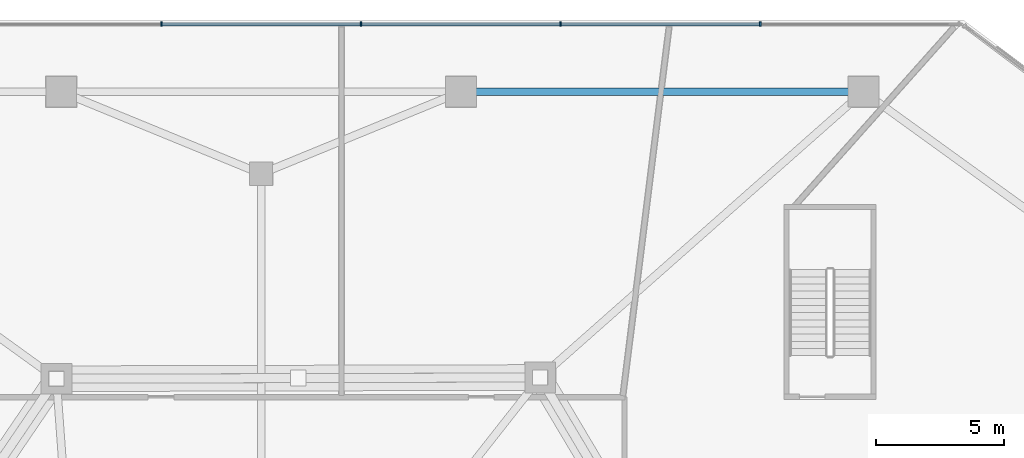
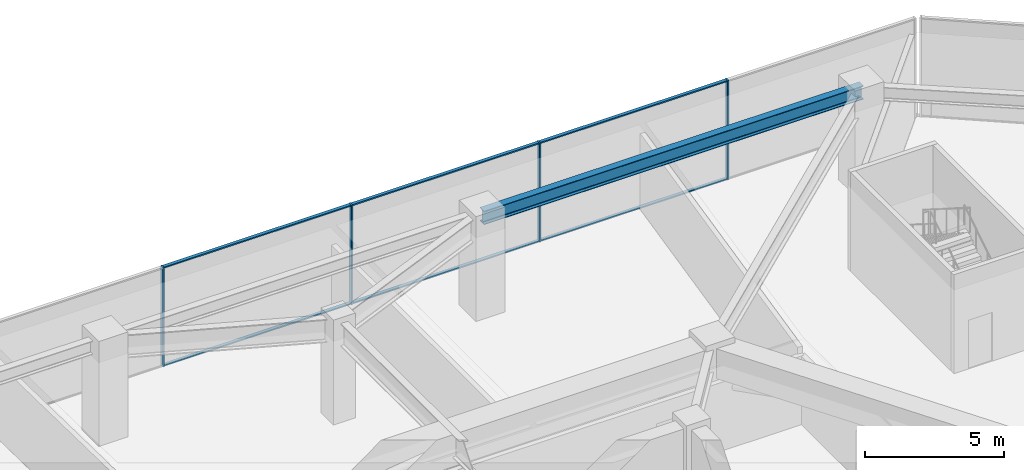
# One storey, part 10 of 23: 10 members, 1 beam, 1 element without a shape of its own.
"""IFC4 building model written with IfcOpenShell, lengths in metres."""

from ifc_helpers import new_model, si_unit, direction, frame, origin, origin_2d, place, context, subcontext, project, spatial, rectangle, i_section, extrude, material, material_profile, profile_set, type_object, element, aggregate, save


model = new_model("IFC4")

# Units and contexts
model_context = context("Model", 3, precision=1e-05, world=origin(), true_north=direction((0.0, 1.0)))
body_context = subcontext(model_context, "Body", "Model", "MODEL_VIEW")
ifc_project = project(units=[si_unit("LENGTHUNIT", "METRE"), si_unit("AREAUNIT", "SQUARE_METRE"), si_unit("VOLUMEUNIT", "CUBIC_METRE"), si_unit("PLANEANGLEUNIT", "RADIAN"), si_unit("MASSUNIT", "GRAM", prefix="KILO")], contexts=[model_context])

# Site, building, storey
site_placement = place(None, origin())
site = spatial("IfcSite", under=ifc_project, at=site_placement, CompositionType="ELEMENT")
building_placement = place(site_placement, origin())
building = spatial("IfcBuilding", under=site, at=building_placement, Name="Savorim Split Tower", CompositionType="ELEMENT")
storey_placement = place(building_placement, frame((0.0, 0.0, 21.800048828125)))
storey = spatial("IfcBuildingStorey", under=building, at=storey_placement, Name="L05", CompositionType="ELEMENT", Elevation=21.800048828125)

# Beam
ifc_material_1 = material(Name="Steel S355", Category="steel")
ifc_material_profile_1 = material_profile(ifc_material_1, i_section(OverallWidth=0.300048828125, OverallDepth=0.590087890625, WebThickness=0.012939453125, FlangeThickness=0.02490234375, FilletRadius=0.027099609375, at=origin_2d()), Name="HEA 600")
ifc_profile_set_1 = profile_set([ifc_material_profile_1], Name="Steel S355")
beam_type = type_object("IfcBeamType", Name="BM-SPN-HEA600", PredefinedType="SPANDREL", material=ifc_profile_set_1)
beam_placement = place(storey_placement, frame((23.5, 25.39990234375, 4.054931640625), z_axis=(-1.0, 0.0, 0.0), x_axis=(0.0, -1.0, 0.0)))
element("IfcBeam", 1, at=beam_placement, inside=storey, type_object=beam_type, Name="L05 Podium Spandrel Beam 6", PredefinedType="SPANDREL", context=body_context, shape_type="SweptSolid", body=[
    extrude(i_section(OverallWidth=0.300048828125, OverallDepth=0.590087890625, WebThickness=0.012939453125, FlangeThickness=0.02490234375, FilletRadius=0.027099609375, at=origin_2d()), origin(), (0.0, 0.0, 1.0), 15.699951171875),
])

# Curtain wall, members
ifc_material_2 = material(Name="Dark Ceramic-Fritted Insulated Glass", Category="glass")
curtain_wall_type = type_object("IfcCurtainWallType", Name="CW-REFUGE-LVR", PredefinedType="NOTDEFINED", material=ifc_material_2)
curtain_wall_placement = place(storey_placement, origin())
curtain_wall = element("IfcCurtainWall", 2, at=curtain_wall_placement, inside=storey, type_object=curtain_wall_type, Name="L05 Curtain Wall CW-L05-E08", PredefinedType="NOTDEFINED")
ifc_material_3 = material(Name="Charcoal Anodised Aluminium", Category="aluminium")
ifc_material_profile_2 = material_profile(ifc_material_3, rectangle(XDim=0.179931640625, YDim=0.06494140625, at=origin_2d()), Name="ALU-M 180x65")
ifc_profile_set_2 = profile_set([ifc_material_profile_2], Name="Charcoal Anodised Aluminium")
member_type_1 = type_object("IfcMemberType", Name="CWM-180x65", PredefinedType="MULLION", material=ifc_profile_set_2)
member_1_placement = place(storey_placement, frame((19.471435546875, 28.0400390625, 0.0), z_axis=(0.0, 0.0, 1.0), x_axis=(0.0, -1.0, 0.0)))
member_1 = element("IfcMember", 3, at=member_1_placement, type_object=member_type_1, Name="CW-06 mullion 2", PredefinedType="MULLION", context=body_context, shape_type="SweptSolid", body=[
    extrude(rectangle(XDim=0.179931640625, YDim=0.06494140625, at=origin_2d()), origin(), (0.0, 0.0, 1.0), 4.349853515625),
])
member_2_placement = place(storey_placement, frame((11.682861328125, 28.0400390625, 0.0), z_axis=(0.0, 0.0, 1.0), x_axis=(0.0, -1.0, 0.0)))
member_2 = element("IfcMember", 4, at=member_2_placement, type_object=member_type_1, Name="CW-06 mullion 3", PredefinedType="MULLION", context=body_context, shape_type="SweptSolid", body=[
    extrude(rectangle(XDim=0.179931640625, YDim=0.06494140625, at=origin_2d()), origin(), (0.0, 0.0, 1.0), 4.349853515625),
])
member_3_placement = place(storey_placement, frame((3.894287109375, 28.0400390625, 0.0), z_axis=(0.0, 0.0, 1.0), x_axis=(0.0, -1.0, 0.0)))
member_3 = element("IfcMember", 5, at=member_3_placement, type_object=member_type_1, Name="CW-06 mullion 4", PredefinedType="MULLION", context=body_context, shape_type="SweptSolid", body=[
    extrude(rectangle(XDim=0.179931640625, YDim=0.06494140625, at=origin_2d()), origin(), (0.0, 0.0, 1.0), 4.349853515625),
])
member_4_placement = place(storey_placement, frame((-3.894287109375, 28.0400390625, 0.0), z_axis=(0.0, 0.0, 1.0), x_axis=(0.0, -1.0, 0.0)))
member_4 = element("IfcMember", 6, at=member_4_placement, type_object=member_type_1, Name="CW-06 mullion 5", PredefinedType="MULLION", context=body_context, shape_type="SweptSolid", body=[
    extrude(rectangle(XDim=0.179931640625, YDim=0.06494140625, at=origin_2d()), origin(), (0.0, 0.0, 1.0), 4.349853515625),
])
ifc_material_profile_3 = material_profile(ifc_material_3, rectangle(XDim=0.139892578125, YDim=0.054931640625, at=origin_2d()), Name="ALU-T 140x55")
ifc_profile_set_3 = profile_set([ifc_material_profile_3], Name="Charcoal Anodised Aluminium")
member_type_2 = type_object("IfcMemberType", Name="CWT-140x55", PredefinedType="USERDEFINED", material=ifc_profile_set_3)
member_5_placement = place(storey_placement, frame((19.43896484375, 28.0400390625, 0.02734375), z_axis=(-1.0, 0.0, 0.0), x_axis=(0.0, -1.0, 0.0)))
member_5 = element("IfcMember", 7, at=member_5_placement, type_object=member_type_2, Name="CW-06 transom 2.1", ObjectType="TRANSOM", PredefinedType="USERDEFINED", context=body_context, shape_type="SweptSolid", body=[
    extrude(rectangle(XDim=0.139892578125, YDim=0.054931640625, at=origin_2d()), origin(), (0.0, 0.0, 1.0), 7.7236328125),
])
member_6_placement = place(storey_placement, frame((19.43896484375, 28.0400390625, 4.322509765625), z_axis=(-1.0, 0.0, 0.0), x_axis=(0.0, -1.0, 0.0)))
member_6 = element("IfcMember", 8, at=member_6_placement, type_object=member_type_2, Name="CW-06 transom 2.2", ObjectType="TRANSOM", PredefinedType="USERDEFINED", context=body_context, shape_type="SweptSolid", body=[
    extrude(rectangle(XDim=0.139892578125, YDim=0.054931640625, at=origin_2d()), origin(), (0.0, 0.0, 1.0), 7.7236328125),
])
member_7_placement = place(storey_placement, frame((11.650390625, 28.0400390625, 0.02734375), z_axis=(-1.0, 0.0, 0.0), x_axis=(0.0, -1.0, 0.0)))
member_7 = element("IfcMember", 9, at=member_7_placement, type_object=member_type_2, Name="CW-06 transom 3.1", ObjectType="TRANSOM", PredefinedType="USERDEFINED", context=body_context, shape_type="SweptSolid", body=[
    extrude(rectangle(XDim=0.139892578125, YDim=0.054931640625, at=origin_2d()), origin(), (0.0, 0.0, 1.0), 7.7236328125),
])
member_8_placement = place(storey_placement, frame((11.650390625, 28.0400390625, 4.322509765625), z_axis=(-1.0, 0.0, 0.0), x_axis=(0.0, -1.0, 0.0)))
member_8 = element("IfcMember", 10, at=member_8_placement, type_object=member_type_2, Name="CW-06 transom 3.2", ObjectType="TRANSOM", PredefinedType="USERDEFINED", context=body_context, shape_type="SweptSolid", body=[
    extrude(rectangle(XDim=0.139892578125, YDim=0.054931640625, at=origin_2d()), origin(), (0.0, 0.0, 1.0), 7.7236328125),
])
member_9_placement = place(storey_placement, frame((3.86181640625, 28.0400390625, 0.02734375), z_axis=(-1.0, 0.0, 0.0), x_axis=(0.0, -1.0, 0.0)))
member_9 = element("IfcMember", 11, at=member_9_placement, type_object=member_type_2, Name="CW-06 transom 4.1", ObjectType="TRANSOM", PredefinedType="USERDEFINED", context=body_context, shape_type="SweptSolid", body=[
    extrude(rectangle(XDim=0.139892578125, YDim=0.054931640625, at=origin_2d()), origin(), (0.0, 0.0, 1.0), 7.7236328125),
])
member_10_placement = place(storey_placement, frame((3.86181640625, 28.0400390625, 4.322509765625), z_axis=(-1.0, 0.0, 0.0), x_axis=(0.0, -1.0, 0.0)))
member_10 = element("IfcMember", 12, at=member_10_placement, type_object=member_type_2, Name="CW-06 transom 4.2", ObjectType="TRANSOM", PredefinedType="USERDEFINED", context=body_context, shape_type="SweptSolid", body=[
    extrude(rectangle(XDim=0.139892578125, YDim=0.054931640625, at=origin_2d()), origin(), (0.0, 0.0, 1.0), 7.7236328125),
])
aggregate(curtain_wall, [member_1, member_2, member_3, member_4, member_5, member_6, member_7, member_8, member_9, member_10])

save(model, "model.ifc")
